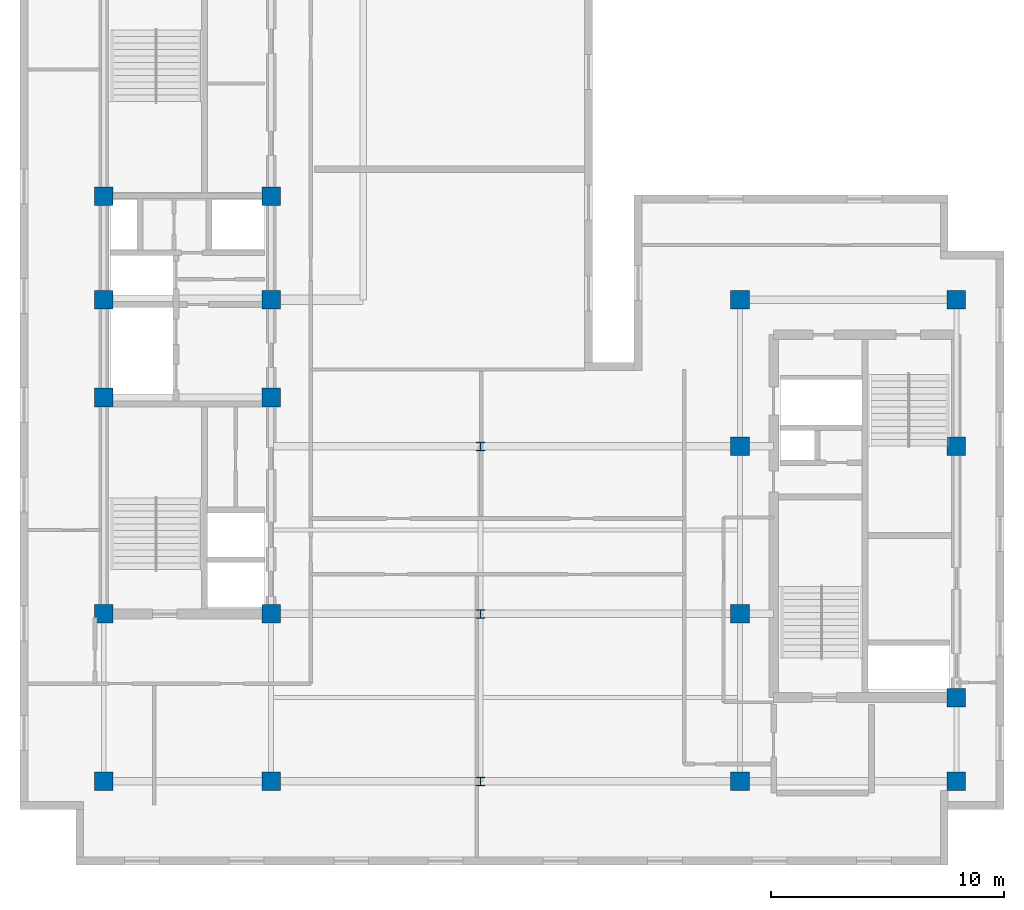
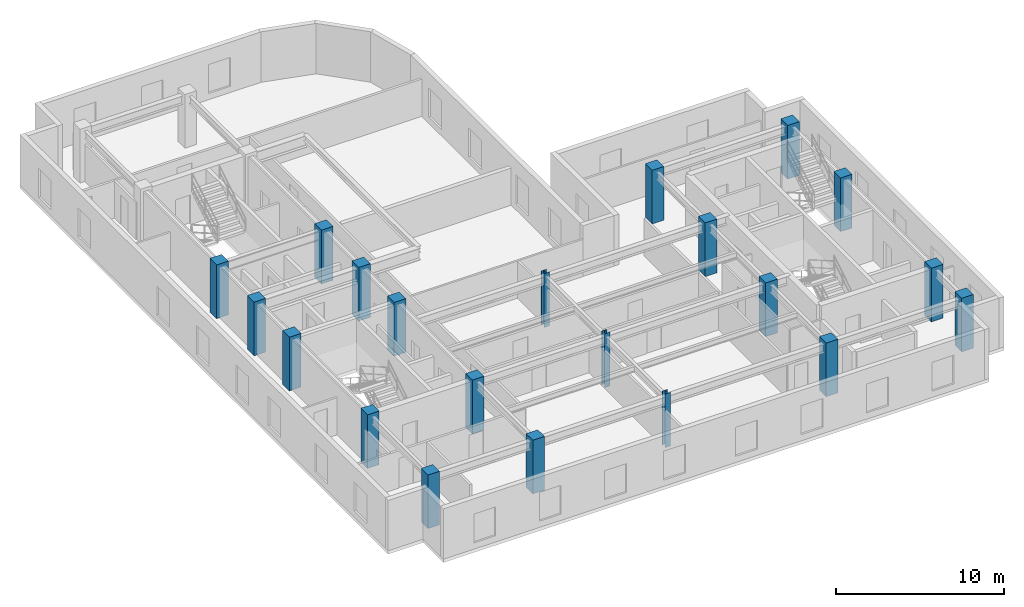
# One storey, part 1 of 9: 21 columns.
"""IFC4 building model written with IfcOpenShell, lengths in metres."""

from ifc_helpers import new_model, entity, si_unit, converted_unit, direction, frame, origin_with_axes, origin_2d_with_axis, place, context, subcontext, project, spatial, rectangle, i_section, extrude, material, material_profile, profile_set, type_object, element, save


model = new_model("IFC4")

# Units and contexts
model_context = context("Model", 3, precision=1e-05, world=origin_with_axes(), true_north=direction((0.0, 1.0)))
body_context = subcontext(model_context, "Body", "Model", "MODEL_VIEW")
ifc_project = project(units=[si_unit("LENGTHUNIT", "METRE"), si_unit("AREAUNIT", "SQUARE_METRE"), si_unit("VOLUMEUNIT", "CUBIC_METRE"), converted_unit("PLANEANGLEUNIT", "DEGREE", entity("IfcPlaneAngleMeasure", 0.017453292519943295), si_unit("PLANEANGLEUNIT", "RADIAN"), dimensions=[0, 0, 0, 0, 0, 0, 0]), si_unit("MASSUNIT", "GRAM", prefix="KILO"), si_unit("THERMODYNAMICTEMPERATUREUNIT", "KELVIN")], contexts=[model_context])

# Site, building, storey
site_placement = place(None, origin_with_axes())
site = spatial("IfcSite", under=ifc_project, at=site_placement, CompositionType="ELEMENT")
building_placement = place(site_placement, origin_with_axes())
building = spatial("IfcBuilding", under=site, at=building_placement, Name="Varnlund Millrace Tower", CompositionType="ELEMENT")
storey_placement = place(building_placement, frame((0.0, 0.0, 252.9), z_axis=(0.0, 0.0, 1.0), x_axis=(1.0, 0.0, 0.0)))
storey = spatial("IfcBuildingStorey", under=building, at=storey_placement, Name="L62", CompositionType="ELEMENT", Elevation=252.9)

# Columns
ifc_material_1 = material(Name="Steel ASTM A992 Grade 50", Category="steel")
ifc_material_profile_1 = material_profile(ifc_material_1, i_section(OverallWidth=0.369, OverallDepth=0.356, WebThickness=0.0112, FlangeThickness=0.018, FilletRadius=0.018, at=origin_2d_with_axis()), Name="Steel ASTM A992 Grade 50")
ifc_profile_set_1 = profile_set([ifc_material_profile_1], Name="Steel ASTM A992 Grade 50")
column_type_1 = type_object("IfcColumnType", Name="Type-Col-Int-W14X90", PredefinedType="COLUMN", material=ifc_profile_set_1)
for number, where, z_axis, x_axis, name in (
    (1, (27.6, 3.6, 0.0), (0.0, 0.0, 1.0), (1.0, 0.0, 0.0), "Type-Col-Int-W14X90"),
    (2, (27.6, 10.8, 0.0), (0.0, 0.0, 1.0), (1.0, 0.0, 0.0), "Type-Col-Int-W14X90"),
    (3, (27.6, 18.0, 0.0), (0.0, 0.0, 1.0), (1.0, 0.0, 0.0), "Type-Col-Int-W14X90"),
):
    element("IfcColumn", number, at=place(storey_placement, frame(where, z_axis=z_axis, x_axis=x_axis)), inside=storey, type_object=column_type_1, Name=name, PredefinedType="COLUMN", context=body_context, shape_type="SweptSolid", body=[
        extrude(i_section(OverallWidth=0.369, OverallDepth=0.356, WebThickness=0.0112, FlangeThickness=0.018, FilletRadius=0.018, at=origin_2d_with_axis()), origin_with_axes(), (0.0, 0.0, 1.0), 3.9),
    ])
ifc_material_2 = material(Name="Concrete C60/75", Category="concrete")
ifc_material_profile_2 = material_profile(ifc_material_2, rectangle(XDim=0.8, YDim=0.8, at=origin_2d_with_axis()), Name="Concrete C60/75")
ifc_profile_set_2 = profile_set([ifc_material_profile_2], Name="Concrete C60/75")
column_type_2 = type_object("IfcColumnType", Name="Type-Col-RC800-C60", PredefinedType="COLUMN", material=ifc_profile_set_2)
for number, where, z_axis, x_axis, name in (
    (4, (11.4, 3.6, 0.0), (0.0, 0.0, 1.0), (1.0, 0.0, 0.0), "Type-Col-RC800-C60"),
    (5, (11.4, 10.8, 0.0), (0.0, 0.0, 1.0), (1.0, 0.0, 0.0), "Type-Col-RC800-C60"),
    (6, (11.4, 20.1, 0.0), (0.0, 0.0, 1.0), (1.0, 0.0, 0.0), "Type-Col-RC800-C60"),
    (7, (11.4, 24.3, 0.0), (0.0, 0.0, 1.0), (1.0, 0.0, 0.0), "Type-Col-RC800-C60"),
    (8, (11.4, 28.75, 0.0), (0.0, 0.0, 1.0), (1.0, 0.0, 0.0), "Type-Col-RC800-C60"),
    (9, (18.6, 3.6, 0.0), (0.0, 0.0, 1.0), (1.0, 0.0, 0.0), "Type-Col-RC800-C60"),
    (10, (18.6, 10.8, 0.0), (0.0, 0.0, 1.0), (1.0, 0.0, 0.0), "Type-Col-RC800-C60"),
    (11, (18.6, 20.1, 0.0), (0.0, 0.0, 1.0), (1.0, 0.0, 0.0), "Type-Col-RC800-C60"),
    (12, (18.6, 24.3, 0.0), (0.0, 0.0, 1.0), (1.0, 0.0, 0.0), "Type-Col-RC800-C60"),
    (13, (18.6, 28.75, 0.0), (0.0, 0.0, 1.0), (1.0, 0.0, 0.0), "Type-Col-RC800-C60"),
    (14, (38.75, 3.6, 0.0), (0.0, 0.0, 1.0), (1.0, 0.0, 0.0), "Type-Col-RC800-C60"),
    (15, (38.75, 10.8, 0.0), (0.0, 0.0, 1.0), (1.0, 0.0, 0.0), "Type-Col-RC800-C60"),
    (16, (38.75, 18.0, 0.0), (0.0, 0.0, 1.0), (1.0, 0.0, 0.0), "Type-Col-RC800-C60"),
    (17, (38.75, 24.3, 0.0), (0.0, 0.0, 1.0), (1.0, 0.0, 0.0), "Type-Col-RC800-C60"),
    (18, (48.05, 3.6, 0.0), (0.0, 0.0, 1.0), (1.0, 0.0, 0.0), "Type-Col-RC800-C60"),
    (19, (48.05, 7.2, 0.0), (0.0, 0.0, 1.0), (1.0, 0.0, 0.0), "Type-Col-RC800-C60"),
    (20, (48.05, 18.0, 0.0), (0.0, 0.0, 1.0), (1.0, 0.0, 0.0), "Type-Col-RC800-C60"),
    (21, (48.05, 24.3, 0.0), (0.0, 0.0, 1.0), (1.0, 0.0, 0.0), "Type-Col-RC800-C60"),
):
    element("IfcColumn", number, at=place(storey_placement, frame(where, z_axis=z_axis, x_axis=x_axis)), inside=storey, type_object=column_type_2, Name=name, PredefinedType="COLUMN", context=body_context, shape_type="SweptSolid", body=[
        extrude(rectangle(XDim=0.8, YDim=0.8, at=origin_2d_with_axis()), origin_with_axes(), (0.0, 0.0, 1.0), 3.9),
    ])

save(model, "model.ifc")
